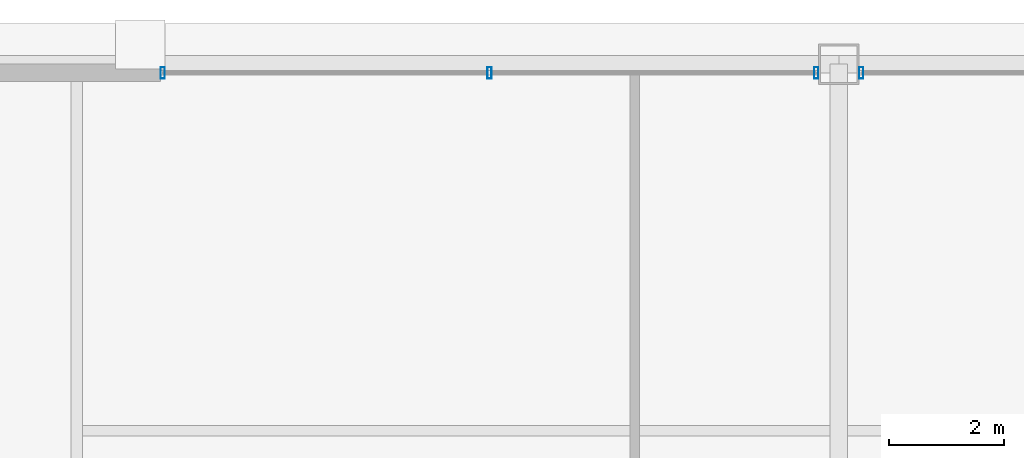
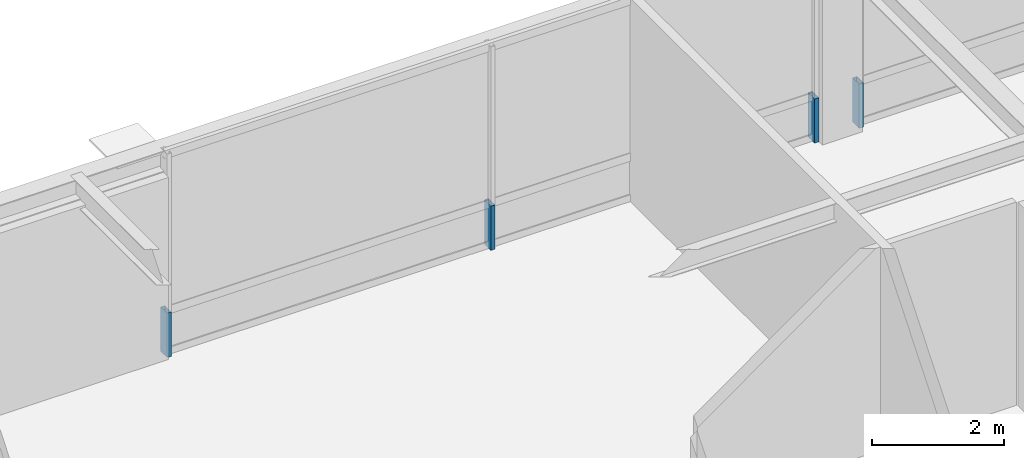
# One storey, part 27 of 34: 4 members, 2 elements without a shape of their own.
"""IFC4 building model written with IfcOpenShell, lengths in metres."""

from ifc_helpers import new_model, si_unit, direction, frame, origin, origin_2d, place, context, subcontext, project, spatial, hollow_rectangle, extrude, source, transform, mapped, material, layer, layer_set, material_profile, profile_set, type_object, element, aggregate, save


model = new_model("IFC4")

# Units and contexts
model_context = context("Model", 3, precision=1e-05, world=origin(), true_north=direction((0.0, 1.0)))
body_context = subcontext(model_context, "Body", "Model", "MODEL_VIEW")
ifc_project = project(units=[si_unit("LENGTHUNIT", "METRE"), si_unit("AREAUNIT", "SQUARE_METRE"), si_unit("VOLUMEUNIT", "CUBIC_METRE"), si_unit("PLANEANGLEUNIT", "RADIAN"), si_unit("MASSUNIT", "GRAM", prefix="KILO"), si_unit("THERMODYNAMICTEMPERATUREUNIT", "KELVIN"), si_unit("POWERUNIT", "WATT")], contexts=[model_context])

# Site, building, storey
site_placement = place(None, origin())
site = spatial("IfcSite", under=ifc_project, at=site_placement, CompositionType="ELEMENT")
building_placement = place(site_placement, origin())
building = spatial("IfcBuilding", under=site, at=building_placement, Name="Yuzanri Waterfront Tower", CompositionType="ELEMENT")
storey_placement = place(building_placement, frame((0.0, 0.0, 339.199951171875)))
storey = spatial("IfcBuildingStorey", under=building, at=storey_placement, Name="L91", CompositionType="ELEMENT", Elevation=339.199951171875)

# Curtain wall, members
ifc_material_1 = material(Name="Anodized Architectural Bronze", Category="metal")
ifc_layer = layer(ifc_material_1, 0.159912109375)
ifc_layer_set = layer_set([ifc_layer], Name="Anodized Architectural Bronze")
curtain_wall_type = type_object("IfcCurtainWallType", Name="Anodized Bronze High-Rise Penthouse High-Wind Unitized Curtain Wall 6900", PredefinedType="NOTDEFINED", material=ifc_layer_set)
curtain_wall_1_placement = place(storey_placement, origin())
curtain_wall_1 = element("IfcCurtainWall", 1, at=curtain_wall_1_placement, inside=storey, type_object=curtain_wall_type, Name="L91 Curtain Wall CW-L91-NL", PredefinedType="NOTDEFINED")
ifc_material_2 = material(Name="Anodized Architectural Bronze", Category="metal")
ifc_material_profile = material_profile(ifc_material_2, hollow_rectangle(XDim=0.074951171875, YDim=0.199951171875, WallThickness=0.00390625, at=origin_2d()), Name="CWM 75x200")
ifc_profile_set = profile_set([ifc_material_profile], Name="Anodized Architectural Bronze")
member_type = type_object("IfcMemberType", Name="Anodized Bronze Primary Curtain-Wall Mullion 75x200", PredefinedType="MULLION", material=ifc_profile_set)
shared_shape = source(origin(), body_context, "Body", "SweptSolid", [
    extrude(hollow_rectangle(XDim=0.074951171875, YDim=0.199951171875, WallThickness=0.00390625, at=origin_2d()), origin(), (0.0, 0.0, 1.0), 0.818115234375),
])
member_1_placement = place(storey_placement, frame((25.2900390625, 44.75, 0.0), z_axis=(0.0, 0.0, 1.0), x_axis=(1.0, 0.0, 0.0)))
member_1 = element("IfcMember", 2, at=member_1_placement, type_object=member_type, Name="CW-L91-NL Lower Mullion 00", PredefinedType="MULLION", context=body_context, shape_type="MappedRepresentation", body=[
    mapped(shared_shape, transform((0.0, 0.0, 0.0), scale=1.0)),
])
member_2_placement = place(storey_placement, frame((30.949951171875, 44.75, 0.0), z_axis=(0.0, 0.0, 1.0), x_axis=(1.0, 0.0, 0.0)))
member_2 = element("IfcMember", 3, at=member_2_placement, type_object=member_type, Name="CW-L91-NL Lower Mullion 01", PredefinedType="MULLION", context=body_context, shape_type="MappedRepresentation", body=[
    mapped(shared_shape, transform((0.0, 0.0, 0.0), scale=1.0)),
])
member_3_placement = place(storey_placement, frame((36.610107421875, 44.75, 0.0), z_axis=(0.0, 0.0, 1.0), x_axis=(1.0, 0.0, 0.0)))
member_3 = element("IfcMember", 4, at=member_3_placement, type_object=member_type, Name="CW-L91-NL Lower Mullion 02", PredefinedType="MULLION", context=body_context, shape_type="MappedRepresentation", body=[
    mapped(shared_shape, transform((0.0, 0.0, 0.0), scale=1.0)),
])
aggregate(curtain_wall_1, [member_1, member_2, member_3])

# Curtain wall, member
curtain_wall_2_placement = place(storey_placement, origin())
curtain_wall_2 = element("IfcCurtainWall", 5, at=curtain_wall_2_placement, inside=storey, type_object=curtain_wall_type, Name="L91 Curtain Wall CW-L91-NR", PredefinedType="NOTDEFINED")
member_4_placement = place(storey_placement, frame((37.389892578125, 44.75, 0.0), z_axis=(0.0, 0.0, 1.0), x_axis=(1.0, 0.0, 0.0)))
member_4 = element("IfcMember", 6, at=member_4_placement, type_object=member_type, Name="CW-L91-NR Lower Mullion 00", PredefinedType="MULLION", context=body_context, shape_type="MappedRepresentation", body=[
    mapped(shared_shape, transform((0.0, 0.0, 0.0), scale=1.0)),
])
aggregate(curtain_wall_2, [member_4])

save(model, "model.ifc")
